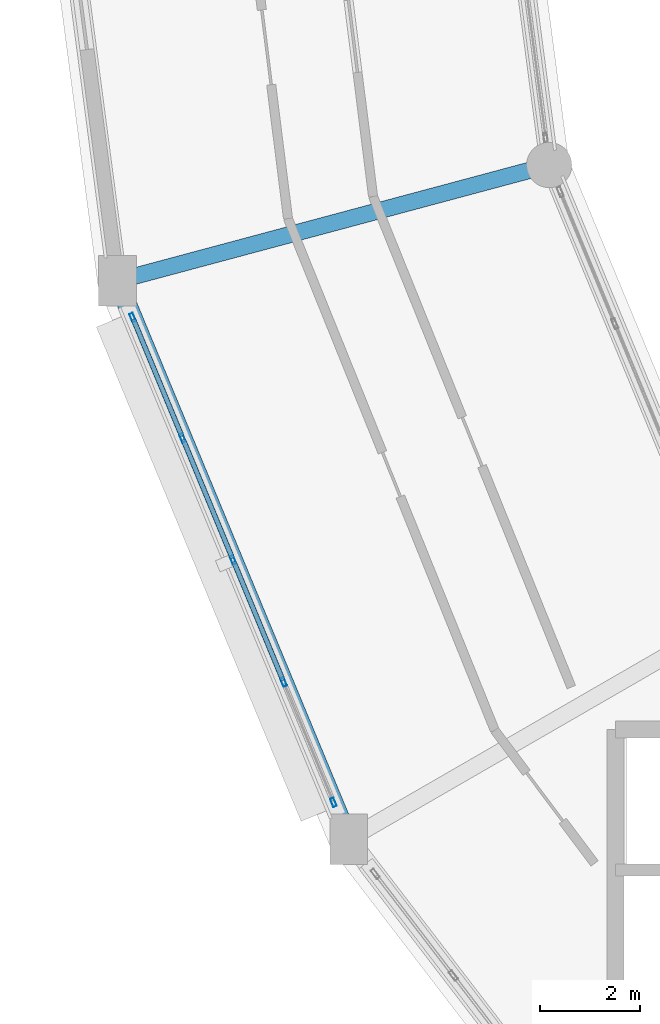
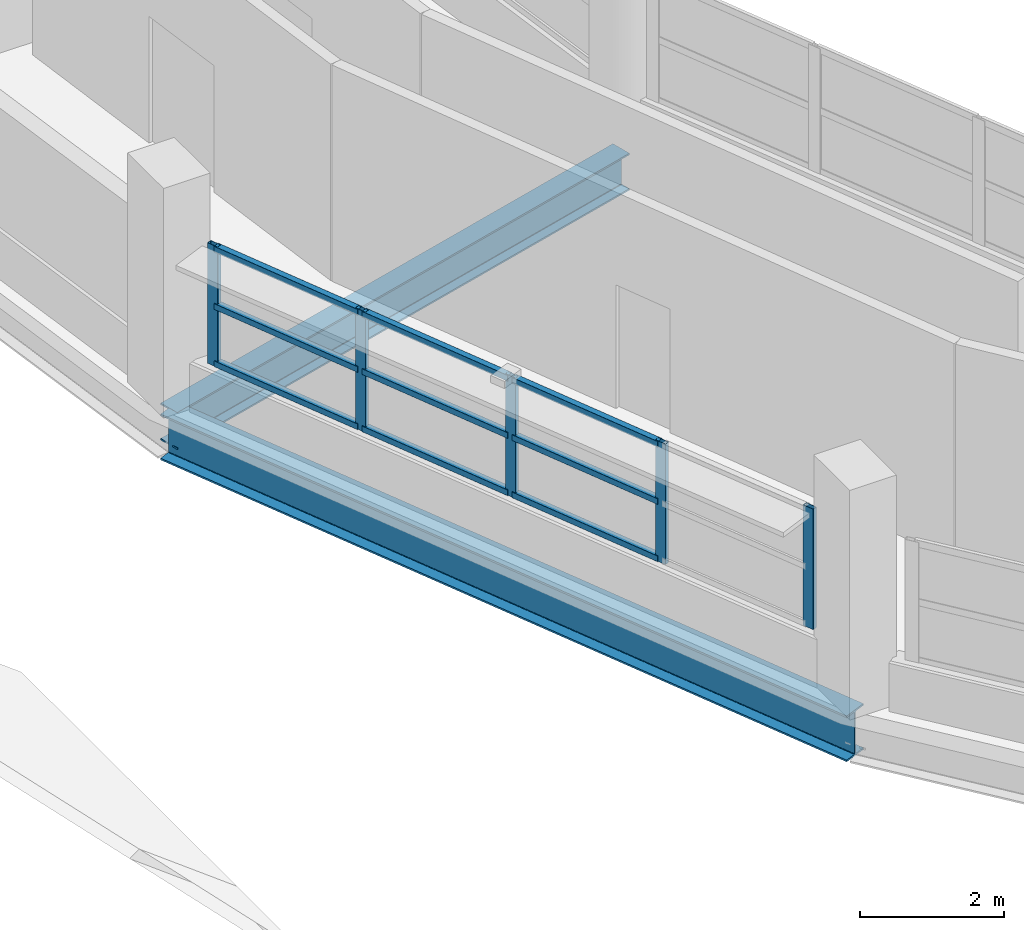
# One storey, part 11 of 53: 14 members, 2 beams, 1 element without a shape of its own.
"""IFC4 building model written with IfcOpenShell, lengths in metres."""

from ifc_helpers import new_model, si_unit, direction, frame, origin, origin_2d, place, context, subcontext, project, spatial, hollow_rectangle, i_section, extrude, material, layer, layer_set, material_profile, profile_set, type_object, element, aggregate, save


model = new_model("IFC4")

# Units and contexts
model_context = context("Model", 3, precision=1e-05, world=origin(), true_north=direction((0.0, 1.0)))
body_context = subcontext(model_context, "Body", "Model", "MODEL_VIEW")
ifc_project = project(units=[si_unit("LENGTHUNIT", "METRE"), si_unit("AREAUNIT", "SQUARE_METRE"), si_unit("VOLUMEUNIT", "CUBIC_METRE"), si_unit("PLANEANGLEUNIT", "RADIAN"), si_unit("MASSUNIT", "GRAM", prefix="KILO")], contexts=[model_context])

# Site, building, storey
site_placement = place(None, origin())
site = spatial("IfcSite", under=ifc_project, at=site_placement, CompositionType="ELEMENT")
building_placement = place(site_placement, origin())
building = spatial("IfcBuilding", under=site, at=building_placement, Name="Vespera Passage Community Centre", CompositionType="ELEMENT")
storey_placement = place(building_placement, frame((0.0, 0.0, 20.39990234375)))
storey = spatial("IfcBuildingStorey", under=building, at=storey_placement, Name="L05", CompositionType="ELEMENT", Elevation=20.39990234375)

# Beams
ifc_material_1 = material(Name="Steel ASTM A992 Grade 50", Category="steel")
ifc_material_profile_1 = material_profile(ifc_material_1, i_section(OverallWidth=0.32763671875, OverallDepth=0.62841796875, WebThickness=0.0166015625, FlangeThickness=0.027587890625, FilletRadius=0.0126953125, at=origin_2d()), Name="W24X146")
ifc_profile_set_1 = profile_set([ifc_material_profile_1], Name="Steel ASTM A992 Grade 50")
beam_type_1 = type_object("IfcBeamType", Name="BM-G-W24X146", PredefinedType="BEAM", material=ifc_profile_set_1)
beam_1_placement = place(storey_placement, frame((42.067626953125, 55.871826171875, -0.57421875), z_axis=(-0.9659278487, -0.258811497245, 0.0), x_axis=(0.258811497245, -0.9659278487, 0.0)))
element("IfcBeam", 1, at=beam_1_placement, inside=storey, type_object=beam_type_1, Name="V4 L05 Radial Girder 13", PredefinedType="BEAM", context=body_context, shape_type="SweptSolid", body=[
    extrude(i_section(OverallWidth=0.32763671875, OverallDepth=0.62841796875, WebThickness=0.0166015625, FlangeThickness=0.027587890625, FilletRadius=0.0126953125, at=origin_2d()), origin(), (0.0, 0.0, 1.0), 8.900146484375),
])
ifc_material_2 = material(Name="Steel ASTM A992 Grade 50", Category="steel")
ifc_material_profile_2 = material_profile(ifc_material_2, i_section(OverallWidth=0.382080078125, OverallDepth=0.779296875, WebThickness=0.01806640625, FlangeThickness=0.030029296875, FilletRadius=0.0166015625, at=origin_2d()), Name="W30X191")
ifc_profile_set_2 = profile_set([ifc_material_profile_2], Name="Steel ASTM A992 Grade 50")
beam_type_2 = type_object("IfcBeamType", Name="BM-SP-W30X191E", PredefinedType="SPANDREL", material=ifc_profile_set_2)
beam_2_placement = place(storey_placement, frame((33.470703125, 53.568359375, -0.649658203125), z_axis=(0.382688629799, -0.923877379647, 0.0), x_axis=(0.923877379647, 0.382688629799, 0.0)))
element("IfcBeam", 2, at=beam_2_placement, inside=storey, type_object=beam_type_2, Name="V4 L05 Outer Spandrel 13", PredefinedType="SPANDREL", context=body_context, shape_type="SweptSolid", body=[
    extrude(i_section(OverallWidth=0.382080078125, OverallDepth=0.779296875, WebThickness=0.01806640625, FlangeThickness=0.030029296875, FilletRadius=0.0166015625, at=origin_2d()), origin(), (0.0, 0.0, 1.0), 12.034423828125),
])

# Curtain wall, members
ifc_material_3 = material(Name="Anodized aluminium 6063-T6", Category="aluminium")
ifc_layer = layer(ifc_material_3, 0.159912109375)
ifc_layer_set = layer_set([ifc_layer], Name="Anodized aluminium 6063-T6")
curtain_wall_type = type_object("IfcCurtainWallType", Name="CW-76E", PredefinedType="NOTDEFINED", material=ifc_layer_set)
curtain_wall_placement = place(storey_placement, origin())
curtain_wall = element("IfcCurtainWall", 3, at=curtain_wall_placement, inside=storey, type_object=curtain_wall_type, Name="V4 L05 Outer Ribbon Curtain Wall 13", PredefinedType="NOTDEFINED")
ifc_material_4 = material(Name="Anodized aluminium 6063-T6", Category="aluminium")
ifc_material_profile_3 = material_profile(ifc_material_4, hollow_rectangle(XDim=0.074951171875, YDim=0.179931640625, WallThickness=0.0048828125, InnerFilletRadius=0.00244140625, OuterFilletRadius=0.0048828125, at=origin_2d()), Name="ALU180X75X5")
ifc_profile_set_3 = profile_set([ifc_material_profile_3], Name="Anodized aluminium 6063-T6")
member_type_1 = type_object("IfcMemberType", Name="MB-CWM-180E", PredefinedType="MULLION", material=ifc_profile_set_3)
member_1_placement = place(storey_placement, frame((37.7724609375, 43.183349609375, 0.820068359375), z_axis=(0.0, 0.0, 1.0), x_axis=(-0.923881309405, -0.382679142535, 0.0)))
member_1 = element("IfcMember", 4, at=member_1_placement, type_object=member_type_1, Name="CW-76E mullion 1", PredefinedType="MULLION", context=body_context, shape_type="SweptSolid", body=[
    extrude(hollow_rectangle(XDim=0.074951171875, YDim=0.179931640625, WallThickness=0.0048828125, InnerFilletRadius=0.00244140625, OuterFilletRadius=0.0048828125, at=origin_2d()), origin(), (0.0, 0.0, 1.0), 2.0458984375),
])
member_2_placement = place(storey_placement, frame((36.780029296875, 45.578857421875, 0.820068359375), z_axis=(0.0, 0.0, 1.0), x_axis=(-0.923881309405, -0.382679142535, 0.0)))
member_2 = element("IfcMember", 5, at=member_2_placement, type_object=member_type_1, Name="CW-76E mullion 2", PredefinedType="MULLION", context=body_context, shape_type="SweptSolid", body=[
    extrude(hollow_rectangle(XDim=0.074951171875, YDim=0.179931640625, WallThickness=0.0048828125, InnerFilletRadius=0.00244140625, OuterFilletRadius=0.0048828125, at=origin_2d()), origin(), (0.0, 0.0, 1.0), 2.0458984375),
])
member_3_placement = place(storey_placement, frame((35.7734375, 48.00927734375, 0.820068359375), z_axis=(0.0, 0.0, 1.0), x_axis=(-0.923881309405, -0.382679142535, 0.0)))
member_3 = element("IfcMember", 6, at=member_3_placement, type_object=member_type_1, Name="CW-76E mullion 3", PredefinedType="MULLION", context=body_context, shape_type="SweptSolid", body=[
    extrude(hollow_rectangle(XDim=0.074951171875, YDim=0.179931640625, WallThickness=0.0048828125, InnerFilletRadius=0.00244140625, OuterFilletRadius=0.0048828125, at=origin_2d()), origin(), (0.0, 0.0, 1.0), 2.0458984375),
])
member_4_placement = place(storey_placement, frame((34.766845703125, 50.439453125, 0.820068359375), z_axis=(0.0, 0.0, 1.0), x_axis=(-0.923881309405, -0.382679142535, 0.0)))
member_4 = element("IfcMember", 7, at=member_4_placement, type_object=member_type_1, Name="CW-76E mullion 4", PredefinedType="MULLION", context=body_context, shape_type="SweptSolid", body=[
    extrude(hollow_rectangle(XDim=0.074951171875, YDim=0.179931640625, WallThickness=0.0048828125, InnerFilletRadius=0.00244140625, OuterFilletRadius=0.0048828125, at=origin_2d()), origin(), (0.0, 0.0, 1.0), 2.0458984375),
])
member_5_placement = place(storey_placement, frame((33.774658203125, 52.835205078125, 0.820068359375), z_axis=(0.0, 0.0, 1.0), x_axis=(-0.923881309405, -0.382679142535, 0.0)))
member_5 = element("IfcMember", 8, at=member_5_placement, type_object=member_type_1, Name="CW-76E mullion 5", PredefinedType="MULLION", context=body_context, shape_type="SweptSolid", body=[
    extrude(hollow_rectangle(XDim=0.074951171875, YDim=0.179931640625, WallThickness=0.0048828125, InnerFilletRadius=0.00244140625, OuterFilletRadius=0.0048828125, at=origin_2d()), origin(), (0.0, 0.0, 1.0), 2.0458984375),
])
ifc_material_5 = material(Name="Anodized aluminium 6063-T6", Category="aluminium")
ifc_material_profile_4 = material_profile(ifc_material_5, hollow_rectangle(XDim=0.10009765625, YDim=0.10009765625, WallThickness=0.00390625, InnerFilletRadius=0.001953125, OuterFilletRadius=0.00390625, at=origin_2d()), Name="ALU100X100X4")
ifc_profile_set_4 = profile_set([ifc_material_profile_4], Name="Anodized aluminium 6063-T6")
member_type_2 = type_object("IfcMemberType", Name="MB-CWT-100E", PredefinedType="USERDEFINED", material=ifc_profile_set_4)
member_6_placement = place(storey_placement, frame((36.765869140625, 45.613525390625, 0.8701171875), z_axis=(-0.382694900027, 0.923874782367, 0.0), x_axis=(-0.923874782367, -0.382694900027, 0.0)))
member_6 = element("IfcMember", 9, at=member_6_placement, type_object=member_type_2, Name="CW-76E transom 2.1", ObjectType="TRANSOM", PredefinedType="USERDEFINED", context=body_context, shape_type="SweptSolid", body=[
    extrude(hollow_rectangle(XDim=0.10009765625, YDim=0.10009765625, WallThickness=0.00390625, InnerFilletRadius=0.001953125, OuterFilletRadius=0.00390625, at=origin_2d()), origin(), (0.0, 0.0, 1.0), 2.5556640625),
])
member_7_placement = place(storey_placement, frame((36.765869140625, 45.613525390625, 1.843017578125), z_axis=(-0.382694900027, 0.923874782367, 0.0), x_axis=(-0.923874782367, -0.382694900027, 0.0)))
member_7 = element("IfcMember", 10, at=member_7_placement, type_object=member_type_2, Name="CW-76E transom 2.2", ObjectType="TRANSOM", PredefinedType="USERDEFINED", context=body_context, shape_type="SweptSolid", body=[
    extrude(hollow_rectangle(XDim=0.10009765625, YDim=0.10009765625, WallThickness=0.00390625, InnerFilletRadius=0.001953125, OuterFilletRadius=0.00390625, at=origin_2d()), origin(), (0.0, 0.0, 1.0), 2.5556640625),
])
member_8_placement = place(storey_placement, frame((36.765869140625, 45.613525390625, 2.81591796875), z_axis=(-0.382694900027, 0.923874782367, 0.0), x_axis=(-0.923874782367, -0.382694900027, 0.0)))
member_8 = element("IfcMember", 11, at=member_8_placement, type_object=member_type_2, Name="CW-76E transom 2.3", ObjectType="TRANSOM", PredefinedType="USERDEFINED", context=body_context, shape_type="SweptSolid", body=[
    extrude(hollow_rectangle(XDim=0.10009765625, YDim=0.10009765625, WallThickness=0.00390625, InnerFilletRadius=0.001953125, OuterFilletRadius=0.00390625, at=origin_2d()), origin(), (0.0, 0.0, 1.0), 2.5556640625),
])
member_9_placement = place(storey_placement, frame((35.759033203125, 48.0439453125, 0.8701171875), z_axis=(-0.382647130015, 0.923894568601, 0.0), x_axis=(-0.923894568601, -0.382647130015, 0.0)))
member_9 = element("IfcMember", 12, at=member_9_placement, type_object=member_type_2, Name="CW-76E transom 3.1", ObjectType="TRANSOM", PredefinedType="USERDEFINED", context=body_context, shape_type="SweptSolid", body=[
    extrude(hollow_rectangle(XDim=0.10009765625, YDim=0.10009765625, WallThickness=0.00390625, InnerFilletRadius=0.001953125, OuterFilletRadius=0.00390625, at=origin_2d()), origin(), (0.0, 0.0, 1.0), 2.555419921875),
])
member_10_placement = place(storey_placement, frame((35.759033203125, 48.0439453125, 1.843017578125), z_axis=(-0.382647130015, 0.923894568601, 0.0), x_axis=(-0.923894568601, -0.382647130015, 0.0)))
member_10 = element("IfcMember", 13, at=member_10_placement, type_object=member_type_2, Name="CW-76E transom 3.2", ObjectType="TRANSOM", PredefinedType="USERDEFINED", context=body_context, shape_type="SweptSolid", body=[
    extrude(hollow_rectangle(XDim=0.10009765625, YDim=0.10009765625, WallThickness=0.00390625, InnerFilletRadius=0.001953125, OuterFilletRadius=0.00390625, at=origin_2d()), origin(), (0.0, 0.0, 1.0), 2.555419921875),
])
member_11_placement = place(storey_placement, frame((35.759033203125, 48.0439453125, 2.81591796875), z_axis=(-0.382647130015, 0.923894568601, 0.0), x_axis=(-0.923894568601, -0.382647130015, 0.0)))
member_11 = element("IfcMember", 14, at=member_11_placement, type_object=member_type_2, Name="CW-76E transom 3.3", ObjectType="TRANSOM", PredefinedType="USERDEFINED", context=body_context, shape_type="SweptSolid", body=[
    extrude(hollow_rectangle(XDim=0.10009765625, YDim=0.10009765625, WallThickness=0.00390625, InnerFilletRadius=0.001953125, OuterFilletRadius=0.00390625, at=origin_2d()), origin(), (0.0, 0.0, 1.0), 2.555419921875),
])
member_12_placement = place(storey_placement, frame((34.75244140625, 50.47412109375, 0.8701171875), z_axis=(-0.3826800364, 0.923880939159, 0.0), x_axis=(-0.923880939159, -0.3826800364, 0.0)))
member_12 = element("IfcMember", 15, at=member_12_placement, type_object=member_type_2, Name="CW-76E transom 4.1", ObjectType="TRANSOM", PredefinedType="USERDEFINED", context=body_context, shape_type="SweptSolid", body=[
    extrude(hollow_rectangle(XDim=0.10009765625, YDim=0.10009765625, WallThickness=0.00390625, InnerFilletRadius=0.001953125, OuterFilletRadius=0.00390625, at=origin_2d()), origin(), (0.0, 0.0, 1.0), 2.51806640625),
])
member_13_placement = place(storey_placement, frame((34.75244140625, 50.47412109375, 1.843017578125), z_axis=(-0.3826800364, 0.923880939159, 0.0), x_axis=(-0.923880939159, -0.3826800364, 0.0)))
member_13 = element("IfcMember", 16, at=member_13_placement, type_object=member_type_2, Name="CW-76E transom 4.2", ObjectType="TRANSOM", PredefinedType="USERDEFINED", context=body_context, shape_type="SweptSolid", body=[
    extrude(hollow_rectangle(XDim=0.10009765625, YDim=0.10009765625, WallThickness=0.00390625, InnerFilletRadius=0.001953125, OuterFilletRadius=0.00390625, at=origin_2d()), origin(), (0.0, 0.0, 1.0), 2.51806640625),
])
member_14_placement = place(storey_placement, frame((34.75244140625, 50.47412109375, 2.81591796875), z_axis=(-0.3826800364, 0.923880939159, 0.0), x_axis=(-0.923880939159, -0.3826800364, 0.0)))
member_14 = element("IfcMember", 17, at=member_14_placement, type_object=member_type_2, Name="CW-76E transom 4.3", ObjectType="TRANSOM", PredefinedType="USERDEFINED", context=body_context, shape_type="SweptSolid", body=[
    extrude(hollow_rectangle(XDim=0.10009765625, YDim=0.10009765625, WallThickness=0.00390625, InnerFilletRadius=0.001953125, OuterFilletRadius=0.00390625, at=origin_2d()), origin(), (0.0, 0.0, 1.0), 2.51806640625),
])
aggregate(curtain_wall, [member_1, member_2, member_3, member_4, member_5, member_6, member_7, member_8, member_9, member_10, member_11, member_12, member_13, member_14])

save(model, "model.ifc")
